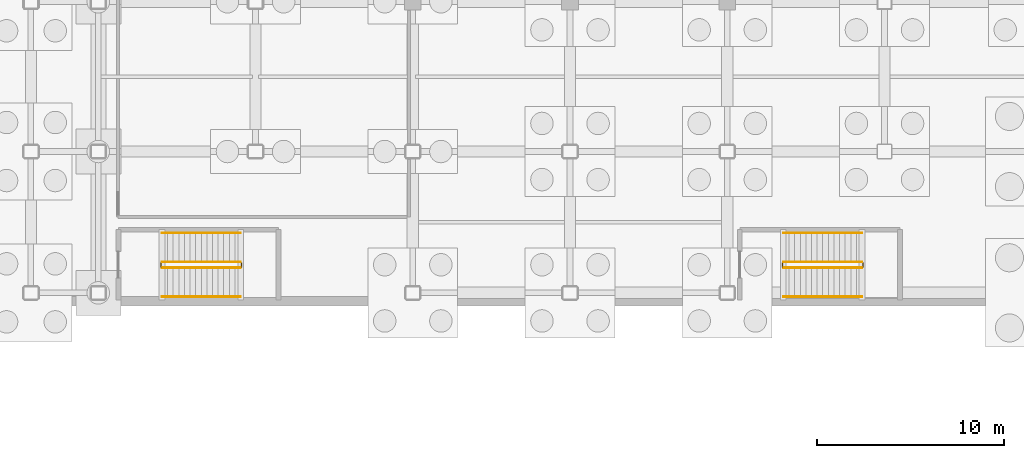
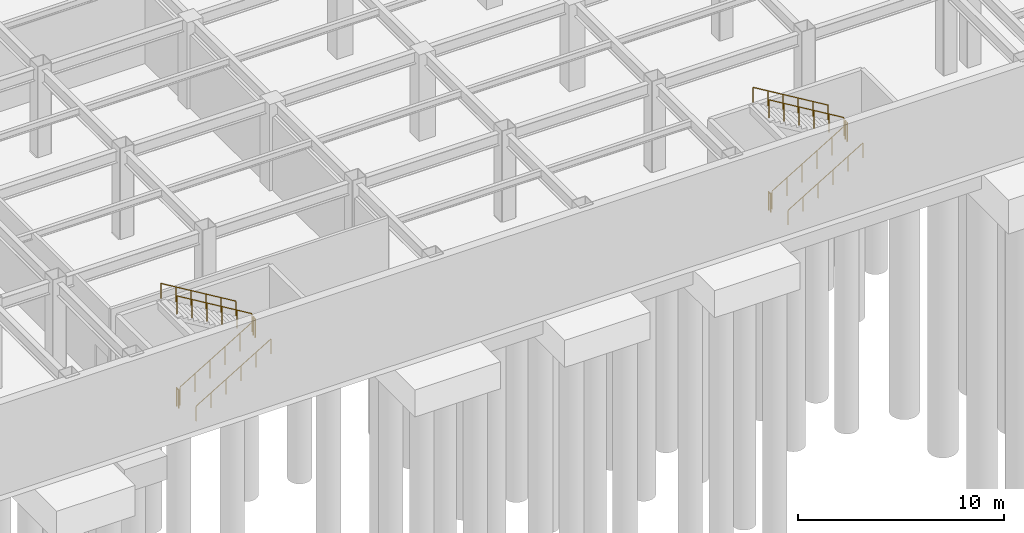
# One storey, part 42 of 55: 12 railings.
"""IFC4 building model written with IfcOpenShell, lengths in metres."""

from ifc_helpers import new_model, si_unit, direction, frame, origin, origin_2d, place, context, subcontext, project, spatial, circle, extrude, material, type_object, element, save


model = new_model("IFC4")

# Units and contexts
model_context = context("Model", 3, precision=1e-05, world=origin(), true_north=direction((0.0, 1.0)))
body_context = subcontext(model_context, "Body", "Model", "MODEL_VIEW")
ifc_project = project(units=[si_unit("LENGTHUNIT", "METRE"), si_unit("AREAUNIT", "SQUARE_METRE"), si_unit("VOLUMEUNIT", "CUBIC_METRE"), si_unit("PLANEANGLEUNIT", "RADIAN"), si_unit("MASSUNIT", "GRAM", prefix="KILO")], contexts=[model_context])

# Site, building, storey
site_placement = place(None, origin())
site = spatial("IfcSite", under=ifc_project, at=site_placement, CompositionType="ELEMENT")
building_placement = place(site_placement, origin())
building = spatial("IfcBuilding", under=site, at=building_placement, Name="Kazehara Bluff Congress Hotel", CompositionType="ELEMENT")
storey_placement = place(building_placement, frame((0.0, 0.0, -5.39990234375)))
storey = spatial("IfcBuildingStorey", under=building, at=storey_placement, Name="B1", CompositionType="ELEMENT", Elevation=-5.39990234375)

# Railings
ifc_material_1 = material(Name="Brushed stainless steel", Category="steel")
railing_type_1 = type_object("IfcRailingType", Name="TP-GRD-INT", PredefinedType="GUARDRAIL", material=ifc_material_1)
railing_1_placement = place(storey_placement, frame((11.800048828125, 1.800048828125, 0.179931640625)))
element("IfcRailing", 1, at=railing_1_placement, inside=storey, type_object=railing_type_1, Name="B1 ST-04 stair guard 1", PredefinedType="GUARDRAIL", context=body_context, shape_type="SweptSolid", body=[
    extrude(circle(Radius=0.02392578125, at=origin_2d()), frame((0.0, 0.0, 1.076171875), z_axis=(0.857488527567, 0.0, 0.514503085598), x_axis=(0.0, 1.0, 0.0)), (0.0, 0.0, 1.0), 4.89794921875),
    extrude(circle(Radius=0.02099609375, at=origin_2d()), origin(), (0.0, 0.0, 1.0), 1.052001953125),
    extrude(circle(Radius=0.02099609375, at=origin_2d()), frame((0.840087890625, 0.0, 0.50390625)), (0.0, 0.0, 1.0), 1.052001953125),
    extrude(circle(Radius=0.02099609375, at=origin_2d()), frame((1.679931640625, 0.0, 1.008056640625)), (0.0, 0.0, 1.0), 1.052001953125),
    extrude(circle(Radius=0.02099609375, at=origin_2d()), frame((2.52001953125, 0.0, 1.511962890625)), (0.0, 0.0, 1.0), 1.052001953125),
    extrude(circle(Radius=0.02099609375, at=origin_2d()), frame((3.35986328125, 0.0, 2.01611328125)), (0.0, 0.0, 1.0), 1.052001953125),
    extrude(circle(Radius=0.02099609375, at=origin_2d()), frame((4.199951171875, 0.0, 2.52001953125)), (0.0, 0.0, 1.0), 1.052001953125),
])
railing_2_placement = place(storey_placement, frame((16.050048828125, 1.85009765625, 2.699951171875)))
element("IfcRailing", 2, at=railing_2_placement, inside=storey, type_object=railing_type_1, Name="B1 ST-04 stair guard 2", PredefinedType="GUARDRAIL", context=body_context, shape_type="SweptSolid", body=[
    extrude(circle(Radius=0.02392578125, at=origin_2d()), frame((0.0, 0.0, 1.076171875), z_axis=(0.0, 1.0, 0.0), x_axis=(-1.0, 0.0, 0.0)), (0.0, 0.0, 1.0), 0.199951171875),
    extrude(circle(Radius=0.02099609375, at=origin_2d()), origin(), (0.0, 0.0, 1.0), 1.052001953125),
    extrude(circle(Radius=0.02099609375, at=origin_2d()), frame((0.0, 0.199951171875, 0.0)), (0.0, 0.0, 1.0), 1.052001953125),
])
railing_3_placement = place(storey_placement, frame((16.0, 2.10009765625, 2.8798828125)))
element("IfcRailing", 3, at=railing_3_placement, inside=storey, type_object=railing_type_1, Name="B1 ST-04 stair guard 3", PredefinedType="GUARDRAIL", context=body_context, shape_type="SweptSolid", body=[
    extrude(circle(Radius=0.02392578125, at=origin_2d()), frame((0.0, 0.0, 1.076171875), z_axis=(-0.857488527567, 0.0, 0.514503085598), x_axis=(0.0, -1.0, 0.0)), (0.0, 0.0, 1.0), 4.89794921875),
    extrude(circle(Radius=0.02099609375, at=origin_2d()), origin(), (0.0, 0.0, 1.0), 1.052001953125),
    extrude(circle(Radius=0.02099609375, at=origin_2d()), frame((-0.840087890625, 0.0, 0.50390625)), (0.0, 0.0, 1.0), 1.052001953125),
    extrude(circle(Radius=0.02099609375, at=origin_2d()), frame((-1.679931640625, 0.0, 1.008056640625)), (0.0, 0.0, 1.0), 1.052001953125),
    extrude(circle(Radius=0.02099609375, at=origin_2d()), frame((-2.52001953125, 0.0, 1.511962890625)), (0.0, 0.0, 1.0), 1.052001953125),
    extrude(circle(Radius=0.02099609375, at=origin_2d()), frame((-3.35986328125, 0.0, 2.01611328125)), (0.0, 0.0, 1.0), 1.052001953125),
    extrude(circle(Radius=0.02099609375, at=origin_2d()), frame((-4.199951171875, 0.0, 2.52001953125)), (0.0, 0.0, 1.0), 1.052001953125),
])
railing_4_placement = place(storey_placement, frame((11.75, 1.85009765625, 0.0)))
element("IfcRailing", 4, at=railing_4_placement, inside=storey, type_object=railing_type_1, Name="B1 ST-04 stair guard 4", PredefinedType="GUARDRAIL", context=body_context, shape_type="SweptSolid", body=[
    extrude(circle(Radius=0.02392578125, at=origin_2d()), frame((0.0, 0.0, 1.076171875), z_axis=(0.0, 1.0, 0.0), x_axis=(-1.0, 0.0, 0.0)), (0.0, 0.0, 1.0), 0.199951171875),
    extrude(circle(Radius=0.02099609375, at=origin_2d()), origin(), (0.0, 0.0, 1.0), 1.052001953125),
    extrude(circle(Radius=0.02099609375, at=origin_2d()), frame((0.0, 0.199951171875, 0.0)), (0.0, 0.0, 1.0), 1.052001953125),
])
railing_5_placement = place(storey_placement, frame((45.0, 1.800048828125, 0.179931640625)))
element("IfcRailing", 5, at=railing_5_placement, inside=storey, type_object=railing_type_1, Name="B1 ST-05 stair guard 1", PredefinedType="GUARDRAIL", context=body_context, shape_type="SweptSolid", body=[
    extrude(circle(Radius=0.02392578125, at=origin_2d()), frame((0.0, 0.0, 1.076171875), z_axis=(0.857488527567, 0.0, 0.514503085598), x_axis=(0.0, 1.0, 0.0)), (0.0, 0.0, 1.0), 4.89794921875),
    extrude(circle(Radius=0.02099609375, at=origin_2d()), origin(), (0.0, 0.0, 1.0), 1.052001953125),
    extrude(circle(Radius=0.02099609375, at=origin_2d()), frame((0.840087890625, 0.0, 0.50390625)), (0.0, 0.0, 1.0), 1.052001953125),
    extrude(circle(Radius=0.02099609375, at=origin_2d()), frame((1.679931640625, 0.0, 1.008056640625)), (0.0, 0.0, 1.0), 1.052001953125),
    extrude(circle(Radius=0.02099609375, at=origin_2d()), frame((2.52001953125, 0.0, 1.511962890625)), (0.0, 0.0, 1.0), 1.052001953125),
    extrude(circle(Radius=0.02099609375, at=origin_2d()), frame((3.35986328125, 0.0, 2.01611328125)), (0.0, 0.0, 1.0), 1.052001953125),
    extrude(circle(Radius=0.02099609375, at=origin_2d()), frame((4.199951171875, 0.0, 2.52001953125)), (0.0, 0.0, 1.0), 1.052001953125),
])
railing_6_placement = place(storey_placement, frame((49.25, 1.85009765625, 2.699951171875)))
element("IfcRailing", 6, at=railing_6_placement, inside=storey, type_object=railing_type_1, Name="B1 ST-05 stair guard 2", PredefinedType="GUARDRAIL", context=body_context, shape_type="SweptSolid", body=[
    extrude(circle(Radius=0.02392578125, at=origin_2d()), frame((0.0, 0.0, 1.076171875), z_axis=(0.0, 1.0, 0.0), x_axis=(-1.0, 0.0, 0.0)), (0.0, 0.0, 1.0), 0.199951171875),
    extrude(circle(Radius=0.02099609375, at=origin_2d()), origin(), (0.0, 0.0, 1.0), 1.052001953125),
    extrude(circle(Radius=0.02099609375, at=origin_2d()), frame((0.0, 0.199951171875, 0.0)), (0.0, 0.0, 1.0), 1.052001953125),
])
railing_7_placement = place(storey_placement, frame((49.199951171875, 2.10009765625, 2.8798828125)))
element("IfcRailing", 7, at=railing_7_placement, inside=storey, type_object=railing_type_1, Name="B1 ST-05 stair guard 3", PredefinedType="GUARDRAIL", context=body_context, shape_type="SweptSolid", body=[
    extrude(circle(Radius=0.02392578125, at=origin_2d()), frame((0.0, 0.0, 1.076171875), z_axis=(-0.857488527567, 0.0, 0.514503085598), x_axis=(0.0, -1.0, 0.0)), (0.0, 0.0, 1.0), 4.89794921875),
    extrude(circle(Radius=0.02099609375, at=origin_2d()), origin(), (0.0, 0.0, 1.0), 1.052001953125),
    extrude(circle(Radius=0.02099609375, at=origin_2d()), frame((-0.840087890625, 0.0, 0.50390625)), (0.0, 0.0, 1.0), 1.052001953125),
    extrude(circle(Radius=0.02099609375, at=origin_2d()), frame((-1.679931640625, 0.0, 1.008056640625)), (0.0, 0.0, 1.0), 1.052001953125),
    extrude(circle(Radius=0.02099609375, at=origin_2d()), frame((-2.52001953125, 0.0, 1.511962890625)), (0.0, 0.0, 1.0), 1.052001953125),
    extrude(circle(Radius=0.02099609375, at=origin_2d()), frame((-3.35986328125, 0.0, 2.01611328125)), (0.0, 0.0, 1.0), 1.052001953125),
    extrude(circle(Radius=0.02099609375, at=origin_2d()), frame((-4.199951171875, 0.0, 2.52001953125)), (0.0, 0.0, 1.0), 1.052001953125),
])
railing_8_placement = place(storey_placement, frame((44.949951171875, 1.85009765625, 0.0)))
element("IfcRailing", 8, at=railing_8_placement, inside=storey, type_object=railing_type_1, Name="B1 ST-05 stair guard 4", PredefinedType="GUARDRAIL", context=body_context, shape_type="SweptSolid", body=[
    extrude(circle(Radius=0.02392578125, at=origin_2d()), frame((0.0, 0.0, 1.076171875), z_axis=(0.0, 1.0, 0.0), x_axis=(-1.0, 0.0, 0.0)), (0.0, 0.0, 1.0), 0.199951171875),
    extrude(circle(Radius=0.02099609375, at=origin_2d()), origin(), (0.0, 0.0, 1.0), 1.052001953125),
    extrude(circle(Radius=0.02099609375, at=origin_2d()), frame((0.0, 0.199951171875, 0.0)), (0.0, 0.0, 1.0), 1.052001953125),
])
ifc_material_2 = material(Name="Brushed stainless steel", Category="steel")
railing_type_2 = type_object("IfcRailingType", Name="TP-HR-INT", PredefinedType="HANDRAIL", material=ifc_material_2)
railing_9_placement = place(storey_placement, frame((11.800048828125, 0.25, 0.179931640625)))
element("IfcRailing", 9, at=railing_9_placement, inside=storey, type_object=railing_type_2, Name="B1 ST-04 stair handrail 1", PredefinedType="HANDRAIL", context=body_context, shape_type="SweptSolid", body=[
    extrude(circle(Radius=0.02392578125, at=origin_2d()), frame((0.0, 0.0, 0.8759765625), z_axis=(0.857488527567, 0.0, 0.514503085598), x_axis=(0.0, 1.0, 0.0)), (0.0, 0.0, 1.0), 4.89794921875),
    extrude(circle(Radius=0.02099609375, at=origin_2d()), origin(), (0.0, 0.0, 1.0), 0.851806640625),
    extrude(circle(Radius=0.02099609375, at=origin_2d()), frame((0.840087890625, 0.0, 0.50390625)), (0.0, 0.0, 1.0), 0.851806640625),
    extrude(circle(Radius=0.02099609375, at=origin_2d()), frame((1.679931640625, 0.0, 1.008056640625)), (0.0, 0.0, 1.0), 0.851806640625),
    extrude(circle(Radius=0.02099609375, at=origin_2d()), frame((2.52001953125, 0.0, 1.511962890625)), (0.0, 0.0, 1.0), 0.851806640625),
    extrude(circle(Radius=0.02099609375, at=origin_2d()), frame((3.35986328125, 0.0, 2.01611328125)), (0.0, 0.0, 1.0), 0.851806640625),
    extrude(circle(Radius=0.02099609375, at=origin_2d()), frame((4.199951171875, 0.0, 2.52001953125)), (0.0, 0.0, 1.0), 0.851806640625),
])
railing_10_placement = place(storey_placement, frame((16.0, 3.64990234375, 2.8798828125)))
element("IfcRailing", 10, at=railing_10_placement, inside=storey, type_object=railing_type_2, Name="B1 ST-04 stair handrail 2", PredefinedType="HANDRAIL", context=body_context, shape_type="SweptSolid", body=[
    extrude(circle(Radius=0.02392578125, at=origin_2d()), frame((0.0, 0.0, 0.8759765625), z_axis=(-0.857488527567, 0.0, 0.514503085598), x_axis=(0.0, -1.0, 0.0)), (0.0, 0.0, 1.0), 4.89794921875),
    extrude(circle(Radius=0.02099609375, at=origin_2d()), origin(), (0.0, 0.0, 1.0), 0.851806640625),
    extrude(circle(Radius=0.02099609375, at=origin_2d()), frame((-0.840087890625, 0.0, 0.50390625)), (0.0, 0.0, 1.0), 0.851806640625),
    extrude(circle(Radius=0.02099609375, at=origin_2d()), frame((-1.679931640625, 0.0, 1.008056640625)), (0.0, 0.0, 1.0), 0.851806640625),
    extrude(circle(Radius=0.02099609375, at=origin_2d()), frame((-2.52001953125, 0.0, 1.511962890625)), (0.0, 0.0, 1.0), 0.851806640625),
    extrude(circle(Radius=0.02099609375, at=origin_2d()), frame((-3.35986328125, 0.0, 2.01611328125)), (0.0, 0.0, 1.0), 0.851806640625),
    extrude(circle(Radius=0.02099609375, at=origin_2d()), frame((-4.199951171875, 0.0, 2.52001953125)), (0.0, 0.0, 1.0), 0.851806640625),
])
railing_11_placement = place(storey_placement, frame((45.0, 0.25, 0.179931640625)))
element("IfcRailing", 11, at=railing_11_placement, inside=storey, type_object=railing_type_2, Name="B1 ST-05 stair handrail 1", PredefinedType="HANDRAIL", context=body_context, shape_type="SweptSolid", body=[
    extrude(circle(Radius=0.02392578125, at=origin_2d()), frame((0.0, 0.0, 0.8759765625), z_axis=(0.857488527567, 0.0, 0.514503085598), x_axis=(0.0, 1.0, 0.0)), (0.0, 0.0, 1.0), 4.89794921875),
    extrude(circle(Radius=0.02099609375, at=origin_2d()), origin(), (0.0, 0.0, 1.0), 0.851806640625),
    extrude(circle(Radius=0.02099609375, at=origin_2d()), frame((0.840087890625, 0.0, 0.50390625)), (0.0, 0.0, 1.0), 0.851806640625),
    extrude(circle(Radius=0.02099609375, at=origin_2d()), frame((1.679931640625, 0.0, 1.008056640625)), (0.0, 0.0, 1.0), 0.851806640625),
    extrude(circle(Radius=0.02099609375, at=origin_2d()), frame((2.52001953125, 0.0, 1.511962890625)), (0.0, 0.0, 1.0), 0.851806640625),
    extrude(circle(Radius=0.02099609375, at=origin_2d()), frame((3.35986328125, 0.0, 2.01611328125)), (0.0, 0.0, 1.0), 0.851806640625),
    extrude(circle(Radius=0.02099609375, at=origin_2d()), frame((4.199951171875, 0.0, 2.52001953125)), (0.0, 0.0, 1.0), 0.851806640625),
])
railing_12_placement = place(storey_placement, frame((49.199951171875, 3.64990234375, 2.8798828125)))
element("IfcRailing", 12, at=railing_12_placement, inside=storey, type_object=railing_type_2, Name="B1 ST-05 stair handrail 2", PredefinedType="HANDRAIL", context=body_context, shape_type="SweptSolid", body=[
    extrude(circle(Radius=0.02392578125, at=origin_2d()), frame((0.0, 0.0, 0.8759765625), z_axis=(-0.857488527567, 0.0, 0.514503085598), x_axis=(0.0, -1.0, 0.0)), (0.0, 0.0, 1.0), 4.89794921875),
    extrude(circle(Radius=0.02099609375, at=origin_2d()), origin(), (0.0, 0.0, 1.0), 0.851806640625),
    extrude(circle(Radius=0.02099609375, at=origin_2d()), frame((-0.840087890625, 0.0, 0.50390625)), (0.0, 0.0, 1.0), 0.851806640625),
    extrude(circle(Radius=0.02099609375, at=origin_2d()), frame((-1.679931640625, 0.0, 1.008056640625)), (0.0, 0.0, 1.0), 0.851806640625),
    extrude(circle(Radius=0.02099609375, at=origin_2d()), frame((-2.52001953125, 0.0, 1.511962890625)), (0.0, 0.0, 1.0), 0.851806640625),
    extrude(circle(Radius=0.02099609375, at=origin_2d()), frame((-3.35986328125, 0.0, 2.01611328125)), (0.0, 0.0, 1.0), 0.851806640625),
    extrude(circle(Radius=0.02099609375, at=origin_2d()), frame((-4.199951171875, 0.0, 2.52001953125)), (0.0, 0.0, 1.0), 0.851806640625),
])

save(model, "model.ifc")
